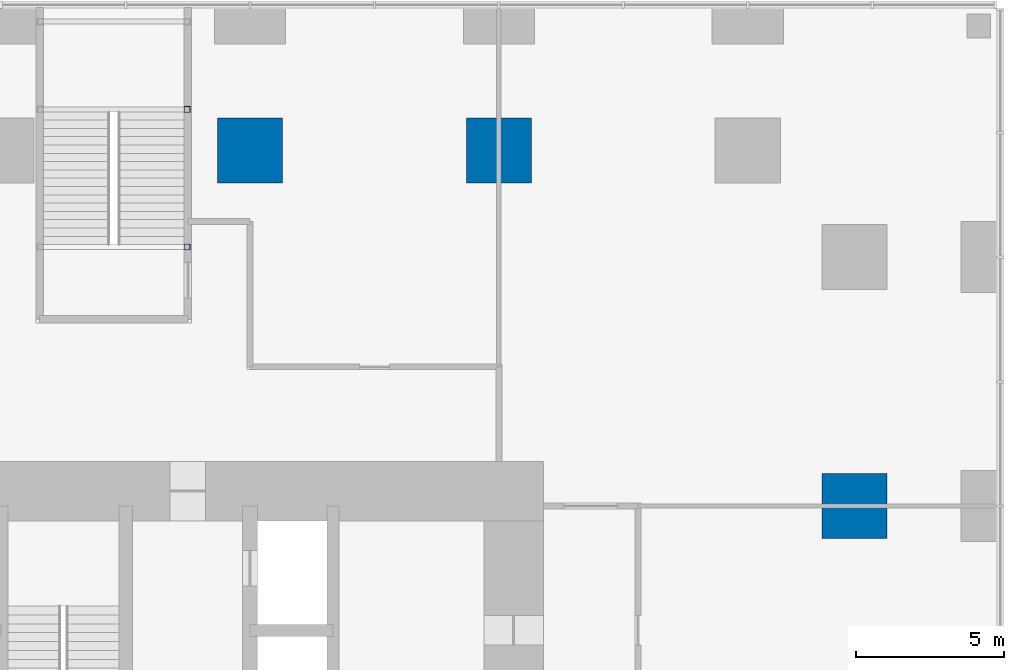
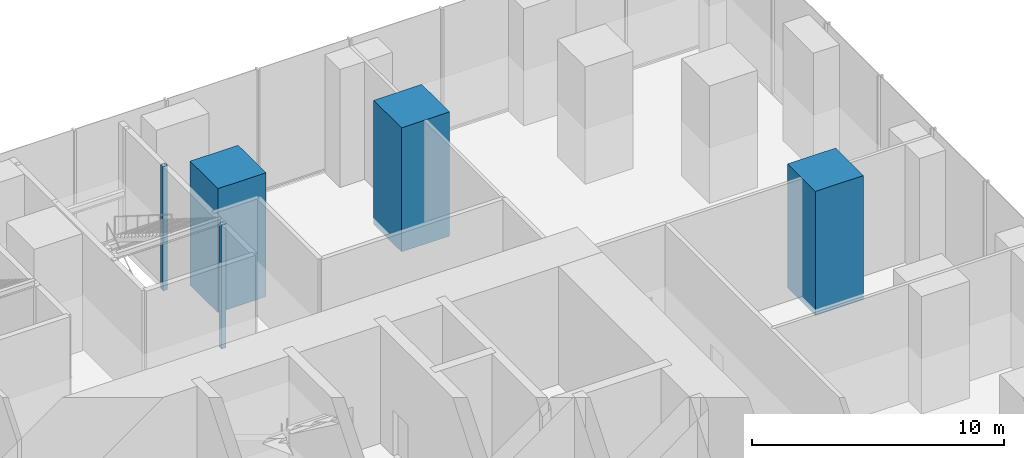
# One storey, part 10 of 32: 5 columns.
"""IFC4 building model written with IfcOpenShell, lengths in metres."""

from ifc_helpers import new_model, si_unit, direction, frame, origin, origin_2d, place, context, subcontext, project, spatial, rectangle, hollow_rectangle, extrude, material, material_profile, profile_set, type_object, element, save


model = new_model("IFC4")

# Units and contexts
model_context = context("Model", 3, precision=1e-05, world=origin(), true_north=direction((0.0, 1.0)))
body_context = subcontext(model_context, "Body", "Model", "MODEL_VIEW")
ifc_project = project(units=[si_unit("LENGTHUNIT", "METRE"), si_unit("AREAUNIT", "SQUARE_METRE"), si_unit("VOLUMEUNIT", "CUBIC_METRE"), si_unit("PLANEANGLEUNIT", "RADIAN"), si_unit("MASSUNIT", "GRAM", prefix="KILO")], contexts=[model_context])

# Site, building, storey
site_placement = place(None, origin())
site = spatial("IfcSite", under=ifc_project, at=site_placement, CompositionType="ELEMENT")
building_placement = place(site_placement, origin())
building = spatial("IfcBuilding", under=site, at=building_placement, Name="Dunama Terrace Hotel", CompositionType="ELEMENT")
storey_placement = place(building_placement, frame((0.0, 0.0, 6.0)))
storey = spatial("IfcBuildingStorey", under=building, at=storey_placement, Name="L01", CompositionType="ELEMENT", Elevation=6.0)

# Columns
ifc_material_1 = material(Name="Concrete C60/75", Category="concrete")
ifc_material_profile_1 = material_profile(ifc_material_1, rectangle(XDim=2.199951171875, YDim=2.199951171875, at=origin_2d()), Name="RC 2200x2200")
ifc_profile_set_1 = profile_set([ifc_material_profile_1], Name="Concrete C60/75")
column_type_1 = type_object("IfcColumnType", Name="Column RC 2200x2200", PredefinedType="COLUMN", material=ifc_profile_set_1)
for number, where, z_axis, x_axis, name in (
    (1, (33.60009765625, 54.0, -0.300048828125), (0.0, 0.0, 1.0), (1.0, 0.0, 0.0), "Column L01 +33.6/+54.0"),
    (2, (42.0, 54.0, -0.300048828125), (0.0, 0.0, 1.0), (1.0, 0.0, 0.0), "Column L01 +42.0/+54.0"),
    (3, (54.0, 42.0, -0.300048828125), (0.0, 0.0, 1.0), (1.0, 0.0, 0.0), "Column L01 +54.0/+42.0"),
):
    element("IfcColumn", number, at=place(storey_placement, frame(where, z_axis=z_axis, x_axis=x_axis)), inside=storey, type_object=column_type_1, Name=name, PredefinedType="COLUMN", context=body_context, shape_type="SweptSolid", body=[
        extrude(rectangle(XDim=2.199951171875, YDim=2.199951171875, at=origin_2d()), origin(), (0.0, 0.0, 1.0), 6.0),
    ])
ifc_material_2 = material(Name="Steel S355", Category="steel")
ifc_material_profile_2 = material_profile(ifc_material_2, hollow_rectangle(XDim=0.199951171875, YDim=0.199951171875, WallThickness=0.010009765625, at=origin_2d()), Name="SHS 200x200x10")
ifc_profile_set_2 = profile_set([ifc_material_profile_2], Name="Steel S355")
column_type_2 = type_object("IfcColumnType", Name="Stair post SHS 200x200x10", PredefinedType="COLUMN", material=ifc_profile_set_2)
for number, where, z_axis, x_axis, name in (
    (4, (31.47509765625, 50.742431640625, -0.300048828125), (0.0, 0.0, 1.0), (1.0, 0.0, 0.0), "Stair post P6 L01 +31.48/+50.74"),
    (5, (31.47509765625, 55.387451171875, -0.300048828125), (0.0, 0.0, 1.0), (1.0, 0.0, 0.0), "Stair post P6 L01 +31.48/+55.39"),
):
    element("IfcColumn", number, at=place(storey_placement, frame(where, z_axis=z_axis, x_axis=x_axis)), inside=storey, type_object=column_type_2, Name=name, PredefinedType="COLUMN", context=body_context, shape_type="SweptSolid", body=[
        extrude(hollow_rectangle(XDim=0.199951171875, YDim=0.199951171875, WallThickness=0.010009765625, at=origin_2d()), origin(), (0.0, 0.0, 1.0), 6.0),
    ])

save(model, "model.ifc")
